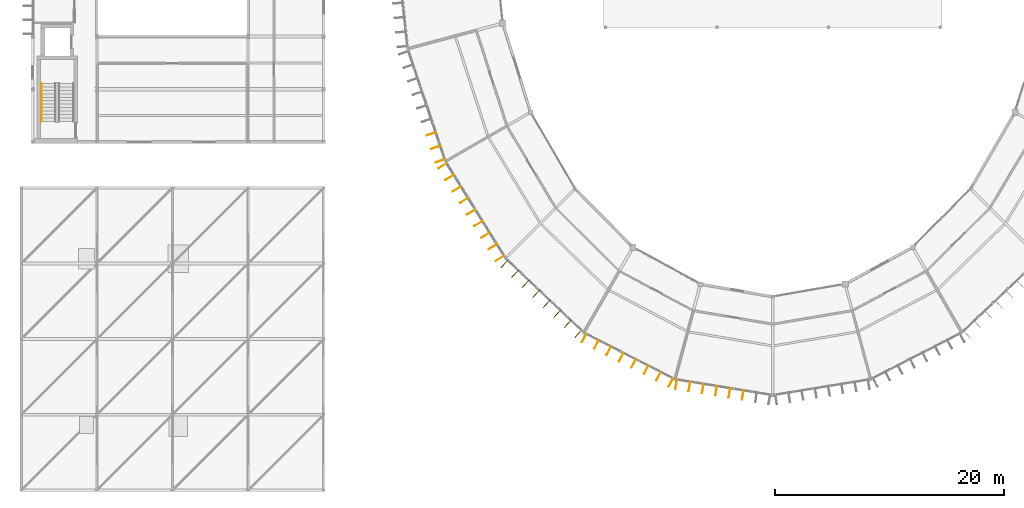
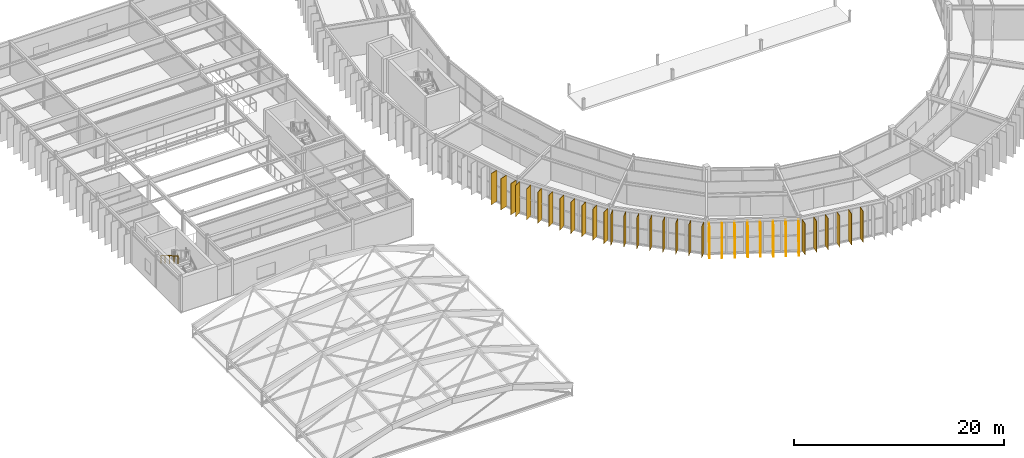
# One storey, part 147 of 157: 34 shading devices, 1 railing.
"""IFC4 building model written with IfcOpenShell, lengths in metres."""

import ifcopenshell
import ifcopenshell.guid

model = None  # the IFC model being written
_history = None  # IfcOwnerHistory: only IFC2X3 demands one
_inside = {}  # id of a spatial element -> (the spatial element, [elements in it])
_under = {}  # id of a project, library or spatial element -> (it, [spatial elements below it])
_declared = {}  # id of a project -> (the project, [libraries it declares])
_typed = {}  # id of a type object -> (the type object, [elements of that type])
_made_of = {}  # id of a material, layer set ... -> (it, [elements and type objects made of it])


def new_model(schema):
    """Start an empty IFC model of exactly this schema.

    Asked for "IFC4X3", IfcOpenShell would pick the latest addendum, in which some entities
    have other attributes; the version numbers below select the first issue.
    IFC2X3 requires an IfcOwnerHistory on every rooted entity: one is made here for all.
    """
    global model, _history
    if schema == "IFC4X3":
        model = ifcopenshell.file(schema_version=(4, 3, 0, 0))
    else:
        model = ifcopenshell.file(schema=schema)
    _inside.clear()
    _under.clear()
    _declared.clear()
    _typed.clear()
    _made_of.clear()
    _history = None
    if model.schema == "IFC2X3":
        org = make("IfcOrganization", Name="unknown")
        user = make(
            "IfcPersonAndOrganization",
            ThePerson=make("IfcPerson", FamilyName="unknown"),
            TheOrganization=org,
        )
        app = make(
            "IfcApplication",
            ApplicationDeveloper=org,
            Version="unknown",
            ApplicationFullName="unknown",
            ApplicationIdentifier="unknown",
        )
        _history = make(
            "IfcOwnerHistory",
            OwningUser=user,
            OwningApplication=app,
            ChangeAction="ADDED",
            CreationDate=0,
        )
    return model


def make(cls, **values):
    """One entity of the class cls with the attributes given. An attribute that is None is left unset."""
    return model.create_entity(
        cls, **{name: value for name, value in values.items() if value is not None}
    )


def rooted(cls, **values):
    """An entity with a GlobalId (a new one), such as an element, a storey or a relation."""
    return make(cls, GlobalId=ifcopenshell.guid.new(), OwnerHistory=_history, **values)


def si_unit(unit_type, name, prefix=None):
    """IfcSIUnit, for example si_unit("LENGTHUNIT", "METRE", prefix="MILLI")."""
    return make("IfcSIUnit", UnitType=unit_type, Prefix=prefix, Name=name)


def assignment(units):
    """IfcUnitAssignment: the units of a project."""
    return None if units is None else make("IfcUnitAssignment", Units=units)


def point(xyz):
    """IfcCartesianPoint."""
    return None if xyz is None else make("IfcCartesianPoint", Coordinates=xyz)


def direction(xyz):
    """IfcDirection."""
    return None if xyz is None else make("IfcDirection", DirectionRatios=xyz)


def frame(location, z_axis=None, x_axis=None):
    """IfcAxis2Placement3D, a coordinate frame: its origin and axes. An axis left out is left unset."""
    return make(
        "IfcAxis2Placement3D",
        Location=point(location),
        Axis=direction(z_axis),
        RefDirection=direction(x_axis),
    )


def frame_2d(location, x_axis=None):
    """IfcAxis2Placement2D, a coordinate frame in the plane: its origin and x axis."""
    return make(
        "IfcAxis2Placement2D", Location=point(location), RefDirection=direction(x_axis)
    )


def origin():
    """The frame at (0, 0, 0) with its axes left unset."""
    return frame((0.0, 0.0, 0.0))


def origin_2d():
    """The frame at (0, 0) in the plane with its x axis left unset."""
    return frame_2d((0.0, 0.0))


def place(relative_to, where):
    """IfcLocalPlacement: puts the frame where relative to a parent placement (None: the world)."""
    return make(
        "IfcLocalPlacement", PlacementRelTo=relative_to, RelativePlacement=where
    )


def context(
    kind, dimensions, precision=None, world=None, true_north=None, identifier=None
):
    """IfcGeometricRepresentationContext, for example the 3D "Model" context."""
    return make(
        "IfcGeometricRepresentationContext",
        ContextIdentifier=identifier,
        ContextType=kind,
        CoordinateSpaceDimension=dimensions,
        Precision=precision,
        WorldCoordinateSystem=world,
        TrueNorth=true_north,
    )


def subcontext(parent, identifier, kind, view, scale=None):
    """IfcGeometricRepresentationSubContext, for example "Body" below "Model"."""
    return make(
        "IfcGeometricRepresentationSubContext",
        ContextIdentifier=identifier,
        ContextType=kind,
        ParentContext=parent,
        TargetScale=scale,
        TargetView=view,
    )


def project(units=None, contexts=None):
    """IfcProject with its units and contexts."""
    return rooted(
        "IfcProject",
        Name="project",
        RepresentationContexts=contexts,
        UnitsInContext=assignment(units),
    )


def spatial(cls, under=None, at=None, **own):
    """A site, building, storey or space (cls), placed at a placement, below another one or the project."""
    s = rooted(cls, ObjectPlacement=at, **own)
    if under is not None:
        _under.setdefault(under.id(), (under, []))[1].append(s)
    return s


def profile(cls, at=None, kind="AREA", **sizes):
    """A parametric profile (cls). Its sizes go by their IFC names, for example OverallWidth=200.0."""
    return make(cls, ProfileType=kind, Position=at, **sizes)


def rectangle(**sizes):
    """IfcRectangleProfileDef."""
    return profile("IfcRectangleProfileDef", **sizes)


def circle(**sizes):
    """IfcCircleProfileDef."""
    return profile("IfcCircleProfileDef", **sizes)


def extrude(swept, where, along, depth):
    """IfcExtrudedAreaSolid: the profile swept, set in the frame where, extruded along a direction by depth."""
    return make(
        "IfcExtrudedAreaSolid",
        SweptArea=swept,
        Position=where,
        ExtrudedDirection=direction(along),
        Depth=depth,
    )


def shape(context_of_items, identifier, shape_type, items):
    """IfcShapeRepresentation: the items that make up one representation, for example the "Body"."""
    return make(
        "IfcShapeRepresentation",
        ContextOfItems=context_of_items,
        RepresentationIdentifier=identifier,
        RepresentationType=shape_type,
        Items=items,
    )


def material(Name=None, Category=None):
    """IfcMaterial."""
    return make("IfcMaterial", Name=Name, Category=Category)


def layer(
    of_material, thickness, ventilated=None, Name=None, Category=None, Priority=None
):
    """IfcMaterialLayer: one layer of a wall or slab, of a material (None: an air gap)."""
    return make(
        "IfcMaterialLayer",
        Material=of_material,
        LayerThickness=thickness,
        IsVentilated=ventilated,
        Name=Name,
        Category=Category,
        Priority=Priority,
    )


def layer_set(layers, Name=None):
    """IfcMaterialLayerSet."""
    return make("IfcMaterialLayerSet", MaterialLayers=layers, LayerSetName=Name)


def made_of(thing, what):
    """Note that an element or type object is made of a material, layer set ...; save() writes the relation."""
    if what is not None:
        _made_of.setdefault(what.id(), (what, []))[1].append(thing)
    return thing


def type_object(cls, material=None, **own):
    """A type object (cls), such as IfcWallType, which elements share."""
    return made_of(rooted(cls, **own), material)


def element(
    cls,
    number,
    at=None,
    inside=None,
    cuts=None,
    type_object=None,
    material=None,
    context=None,
    identifier="Body",
    shape_type=None,
    held_by="IfcProductDefinitionShape",
    body=None,
    shapes=None,
    **own,
):
    """One element of the class cls, such as IfcWall. Its Tag is "e" and its number.

    at: its placement. inside: the storey or other place that contains it. cuts: it is an
    opening in that element (IfcRelVoidsElement). A single representation is given by context,
    identifier, shape_type and body (its items); several are given by shapes. held_by: the class
    of the entity that holds the representations. save() writes the other relations.
    """
    e = rooted(cls, Tag="e%d" % number, ObjectPlacement=at, **own)
    if body is not None:
        shapes = [shape(context, identifier, shape_type, body)]
    if shapes is not None:
        e.Representation = make(held_by, Representations=shapes)
    if inside is not None:
        _inside.setdefault(inside.id(), (inside, []))[1].append(e)
    if cuts is not None:
        rooted(
            "IfcRelVoidsElement", RelatingBuildingElement=cuts, RelatedOpeningElement=e
        )
    if type_object is not None:
        _typed.setdefault(type_object.id(), (type_object, []))[1].append(e)
    return made_of(e, material)


def aggregate(whole, parts):
    """IfcRelAggregates: a whole, such as a stair, and the parts it consists of."""
    return rooted("IfcRelAggregates", RelatingObject=whole, RelatedObjects=parts)


def save(model, path):
    """Write the relations noted so far, then the file.

    IfcRelAggregates (storeys below a building ...), IfcRelContainedInSpatialStructure (elements
    in a storey), IfcRelDefinesByType, IfcRelAssociatesMaterial and IfcRelDeclares: one each for
    every whole, place, type object, material and project.
    """
    for whole, parts in _under.values():
        aggregate(whole, parts)
    for where, things in _inside.values():
        rooted(
            "IfcRelContainedInSpatialStructure",
            RelatedElements=things,
            RelatingStructure=where,
        )
    for kind, things in _typed.values():
        rooted("IfcRelDefinesByType", RelatedObjects=things, RelatingType=kind)
    for what, things in _made_of.values():
        rooted("IfcRelAssociatesMaterial", RelatedObjects=things, RelatingMaterial=what)
    for by, libraries in _declared.values():
        rooted("IfcRelDeclares", RelatingContext=by, RelatedDefinitions=libraries)
    model.write(path)


model = new_model("IFC4")

# Units and contexts
model_context = context("Model", 3, precision=1e-05, world=origin(), true_north=direction((0.0, 1.0)))
body_context = subcontext(model_context, "Body", "Model", "MODEL_VIEW")
ifc_project = project(units=[si_unit("LENGTHUNIT", "METRE"), si_unit("AREAUNIT", "SQUARE_METRE"), si_unit("VOLUMEUNIT", "CUBIC_METRE"), si_unit("PLANEANGLEUNIT", "RADIAN"), si_unit("MASSUNIT", "GRAM", prefix="KILO")], contexts=[model_context])

# Site, building, storey
site_placement = place(None, origin())
site = spatial("IfcSite", under=ifc_project, at=site_placement, CompositionType="ELEMENT")
building_placement = place(site_placement, origin())
building = spatial("IfcBuilding", under=site, at=building_placement, Name="Karori Crest Natural Sciences Institute", CompositionType="ELEMENT")
storey_placement = place(building_placement, frame((0.0, 0.0, 13.300048828125)))
storey = spatial("IfcBuildingStorey", under=building, at=storey_placement, Name="L03", CompositionType="ELEMENT", Elevation=13.300048828125)

# Railing
ifc_material_1 = material(Name="Stainless steel 316 tubular handrail", Category="steel")
railing_type = type_object("IfcRailingType", Name="RLT-HND", PredefinedType="HANDRAIL", material=ifc_material_1)
railing_placement = place(storey_placement, frame((2.550048828125, 36.300048828125, 2.27490234375)))
element("IfcRailing", 1, at=railing_placement, inside=storey, type_object=railing_type, Name="Stair handrail RL-0336", PredefinedType="HANDRAIL", context=body_context, shape_type="SweptSolid", body=[
    extrude(circle(Radius=0.02392578125, at=origin_2d()), frame((0.0, 0.0, 0.90087890625), z_axis=(0.0, -0.863776583165, 0.503874998761), x_axis=(1.0, 0.0, 0.0)), (0.0, 0.0, 1.0), 3.820556640625),
    extrude(circle(Radius=0.02099609375, at=origin_2d()), origin(), (0.0, 0.0, 1.0), 0.876953125),
    extrude(circle(Radius=0.02099609375, at=origin_2d()), frame((0.0, -0.824951171875, 0.481201171875)), (0.0, 0.0, 1.0), 0.876953125),
    extrude(circle(Radius=0.02099609375, at=origin_2d()), frame((0.0, -1.64990234375, 0.96240234375)), (0.0, 0.0, 1.0), 0.876953125),
    extrude(circle(Radius=0.02099609375, at=origin_2d()), frame((0.0, -2.47509765625, 1.44384765625)), (0.0, 0.0, 1.0), 0.876953125),
    extrude(circle(Radius=0.02099609375, at=origin_2d()), frame((0.0, -3.300048828125, 1.925048828125)), (0.0, 0.0, 1.0), 0.876953125),
])

# Shading devices
ifc_material_2 = material(Name="Anodised architectural aluminium 6063-T6", Category="aluminium")
ifc_layer = layer(ifc_material_2, 0.044921875, Name="Anodised architectural aluminium 6063-T6")
ifc_layer_set = layer_set([ifc_layer], Name="Anodised architectural aluminium 6063-T6")
shading_device_type = type_object("IfcShadingDeviceType", Name="SDT-FIN", PredefinedType="USERDEFINED", material=ifc_layer_set)
for number, where, z_axis, x_axis, name in (
    (2, (37.374267578125, 29.543701171875, 0.0), (0.0, 0.0, 1.0), (-0.948197867933, -0.317680347595, 0.0), "Vertical solar fin FN-0520"),
    (3, (36.978515625, 30.724609375, 0.0), (0.0, 0.0, 1.0), (-0.948197867933, -0.317680347595, 0.0), "Vertical solar fin FN-0521"),
    (4, (36.5830078125, 31.9052734375, 0.0), (0.0, 0.0, 1.0), (-0.948197867933, -0.317680347595, 0.0), "Vertical solar fin FN-0522"),
    (5, (42.584716796875, 21.047119140625, 0.0), (0.0, 0.0, 1.0), (-0.849661763889, -0.527328063907, 0.0), "Vertical solar fin FN-0529"),
    (6, (41.95849609375, 22.05615234375, 0.0), (0.0, 0.0, 1.0), (-0.849661763889, -0.527328063907, 0.0), "Vertical solar fin FN-0530"),
    (7, (41.332275390625, 23.065185546875, 0.0), (0.0, 0.0, 1.0), (-0.849661763889, -0.527328063907, 0.0), "Vertical solar fin FN-0531"),
    (8, (40.7060546875, 24.07421875, 0.0), (0.0, 0.0, 1.0), (-0.849661763889, -0.527328063907, 0.0), "Vertical solar fin FN-0532"),
    (9, (40.079833984375, 25.083251953125, 0.0), (0.0, 0.0, 1.0), (-0.849661763889, -0.527328063907, 0.0), "Vertical solar fin FN-0533"),
    (10, (39.45361328125, 26.09228515625, 0.0), (0.0, 0.0, 1.0), (-0.849661763889, -0.527328063907, 0.0), "Vertical solar fin FN-0534"),
    (11, (38.827392578125, 27.101318359375, 0.0), (0.0, 0.0, 1.0), (-0.849661763889, -0.527328063907, 0.0), "Vertical solar fin FN-0535"),
    (12, (38.200927734375, 28.110595703125, 0.0), (0.0, 0.0, 1.0), (-0.849661763889, -0.527328063907, 0.0), "Vertical solar fin FN-0536"),
    (13, (37.57470703125, 29.119384765625, 0.0), (0.0, 0.0, 1.0), (-0.849661763889, -0.527328063907, 0.0), "Vertical solar fin FN-0537"),
    (14, (49.419677734375, 14.456787109375, 0.0), (0.0, 0.0, 1.0), (-0.68825202143, -0.725471677599, 0.0), "Vertical solar fin FN-0538"),
    (15, (48.5, 15.3291015625, 0.0), (0.0, 0.0, 1.0), (-0.68825202143, -0.725471677599, 0.0), "Vertical solar fin FN-0539"),
    (16, (47.580322265625, 16.20166015625, 0.0), (0.0, 0.0, 1.0), (-0.68825202143, -0.725471677599, 0.0), "Vertical solar fin FN-0540"),
    (17, (46.660888671875, 17.073974609375, 0.0), (0.0, 0.0, 1.0), (-0.68825202143, -0.725471677599, 0.0), "Vertical solar fin FN-0541"),
    (18, (45.7412109375, 17.9462890625, 0.0), (0.0, 0.0, 1.0), (-0.68825202143, -0.725471677599, 0.0), "Vertical solar fin FN-0542"),
    (19, (44.821533203125, 18.81884765625, 0.0), (0.0, 0.0, 1.0), (-0.68825202143, -0.725471677599, 0.0), "Vertical solar fin FN-0543"),
    (20, (43.902099609375, 19.69140625, 0.0), (0.0, 0.0, 1.0), (-0.68825202143, -0.725471677599, 0.0), "Vertical solar fin FN-0544"),
    (21, (42.982421875, 20.563720703125, 0.0), (0.0, 0.0, 1.0), (-0.68825202143, -0.725471677599, 0.0), "Vertical solar fin FN-0545"),
    (22, (57.5078125, 10.20947265625, 0.0), (0.0, 0.0, 1.0), (-0.455829213737, -0.890067260326, 0.0), "Vertical solar fin FN-0546"),
    (23, (56.425048828125, 10.763916015625, 0.0), (0.0, 0.0, 1.0), (-0.455829213737, -0.890067260326, 0.0), "Vertical solar fin FN-0547"),
    (24, (55.342041015625, 11.318603515625, 0.0), (0.0, 0.0, 1.0), (-0.455829213737, -0.890067260326, 0.0), "Vertical solar fin FN-0548"),
    (25, (54.259033203125, 11.873291015625, 0.0), (0.0, 0.0, 1.0), (-0.455829213737, -0.890067260326, 0.0), "Vertical solar fin FN-0549"),
    (26, (53.176025390625, 12.427734375, 0.0), (0.0, 0.0, 1.0), (-0.455829213737, -0.890067260326, 0.0), "Vertical solar fin FN-0550"),
    (27, (52.09326171875, 12.982421875, 0.0), (0.0, 0.0, 1.0), (-0.455829213737, -0.890067260326, 0.0), "Vertical solar fin FN-0551"),
    (28, (51.01025390625, 13.537109375, 0.0), (0.0, 0.0, 1.0), (-0.455829213737, -0.890067260326, 0.0), "Vertical solar fin FN-0552"),
    (29, (49.92724609375, 14.091552734375, 0.0), (0.0, 0.0, 1.0), (-0.455829213737, -0.890067260326, 0.0), "Vertical solar fin FN-0553"),
    (30, (63.782958984375, 9.110595703125, 0.0), (0.0, 0.0, 1.0), (-0.160654710652, -0.987010670634, 0.0), "Vertical solar fin FN-0556"),
    (31, (62.61962890625, 9.2998046875, 0.0), (0.0, 0.0, 1.0), (-0.160654710652, -0.987010670634, 0.0), "Vertical solar fin FN-0557"),
    (32, (61.45654296875, 9.4892578125, 0.0), (0.0, 0.0, 1.0), (-0.160654710652, -0.987010670634, 0.0), "Vertical solar fin FN-0558"),
    (33, (60.293212890625, 9.6787109375, 0.0), (0.0, 0.0, 1.0), (-0.160654710652, -0.987010670634, 0.0), "Vertical solar fin FN-0559"),
    (34, (59.130126953125, 9.867919921875, 0.0), (0.0, 0.0, 1.0), (-0.160654710652, -0.987010670634, 0.0), "Vertical solar fin FN-0560"),
    (35, (57.966796875, 10.057373046875, 0.0), (0.0, 0.0, 1.0), (-0.160654710652, -0.987010670634, 0.0), "Vertical solar fin FN-0561"),
):
    element("IfcShadingDevice", number, at=place(storey_placement, frame(where, z_axis=z_axis, x_axis=x_axis)), inside=storey, type_object=shading_device_type, Name=name, ObjectType="SOLAR_FIN", PredefinedType="USERDEFINED", context=body_context, shape_type="SweptSolid", body=[
        extrude(rectangle(XDim=0.85009765625, YDim=0.044921875, at=origin_2d()), origin(), (0.0, 0.0, 1.0), 3.625),
    ])

save(model, "model.ifc")
